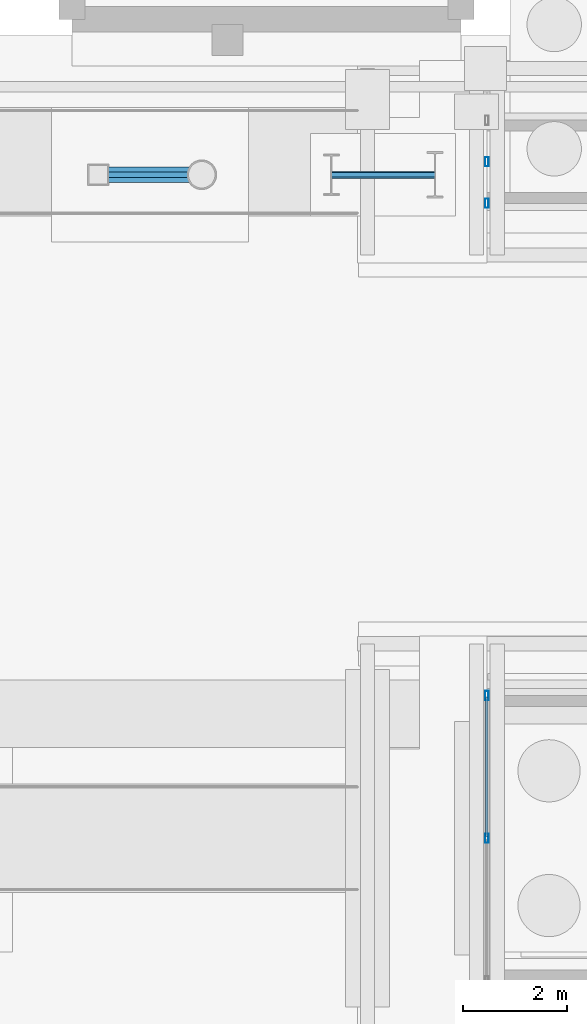
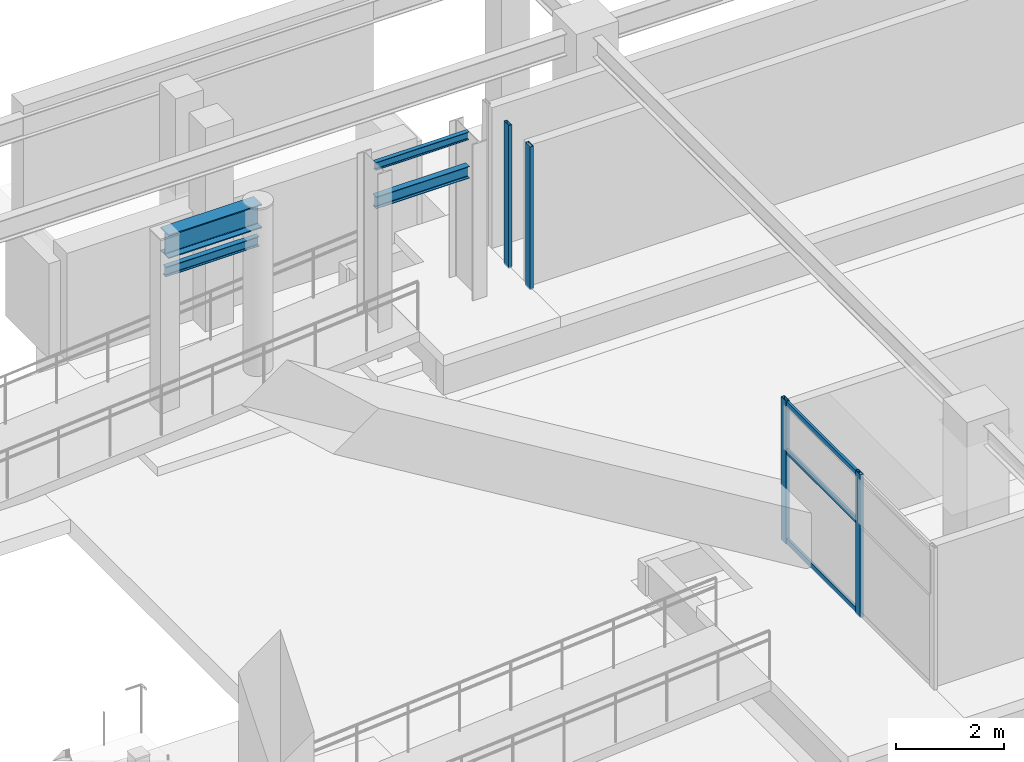
# One storey, part 87 of 160: 9 members, 2 beams, 2 elements without a shape of their own.
"""IFC4 building model written with IfcOpenShell, lengths in metres."""

from ifc_helpers import new_model, si_unit, direction, frame, origin, origin_2d, place, context, subcontext, project, spatial, hollow_rectangle, i_section, extrude, material, layer, layer_set, material_profile, profile_set, type_object, element, aggregate, save


model = new_model("IFC4")

# Units and contexts
model_context = context("Model", 3, precision=1e-05, world=origin(), true_north=direction((0.0, 1.0)))
body_context = subcontext(model_context, "Body", "Model", "MODEL_VIEW")
ifc_project = project(units=[si_unit("LENGTHUNIT", "METRE"), si_unit("AREAUNIT", "SQUARE_METRE"), si_unit("VOLUMEUNIT", "CUBIC_METRE"), si_unit("PLANEANGLEUNIT", "RADIAN"), si_unit("MASSUNIT", "GRAM", prefix="KILO")], contexts=[model_context])

# Site, building, storey
site_placement = place(None, origin())
site = spatial("IfcSite", under=ifc_project, at=site_placement, CompositionType="ELEMENT")
building_placement = place(site_placement, origin())
building = spatial("IfcBuilding", under=site, at=building_placement, Name="Marlcrest Central Station", CompositionType="ELEMENT")
storey_placement = place(building_placement, origin())
storey = spatial("IfcBuildingStorey", under=building, at=storey_placement, Name="L00", CompositionType="ELEMENT", Elevation=0.0)

# Beams
ifc_material_1 = material(Name="Steel S355", Category="steel")
ifc_material_profile_1 = material_profile(ifc_material_1, i_section(OverallWidth=0.300048828125, OverallDepth=0.5400390625, WebThickness=0.012451171875, FlangeThickness=0.02392578125, FilletRadius=0.027099609375, at=origin_2d()), Name="HEA 550")
ifc_profile_set_1 = profile_set([ifc_material_profile_1], Name="Steel S355")
beam_type_1 = type_object("IfcBeamType", Name="BM-13", PredefinedType="BEAM", material=ifc_profile_set_1)
beam_1_placement = place(storey_placement, frame((134.0, 93.800048828125, 4.179931640625), z_axis=(1.0, 0.0, 0.0), x_axis=(0.0, 1.0, 0.0)))
element("IfcBeam", 1, at=beam_1_placement, inside=storey, type_object=beam_type_1, Name="bm-BM-13-L00-01567", PredefinedType="BEAM", context=body_context, shape_type="SweptSolid", body=[
    extrude(i_section(OverallWidth=0.300048828125, OverallDepth=0.5400390625, WebThickness=0.012451171875, FlangeThickness=0.02392578125, FilletRadius=0.027099609375, at=origin_2d()), origin(), (0.0, 0.0, 1.0), 2.0),
])
ifc_material_profile_2 = material_profile(ifc_material_1, i_section(OverallWidth=0.091064453125, OverallDepth=0.179931640625, WebThickness=0.00537109375, FlangeThickness=0.008056640625, FilletRadius=0.009033203125, at=origin_2d()), Name="IPE 180")
ifc_profile_set_2 = profile_set([ifc_material_profile_2], Name="Steel S355")
beam_type_2 = type_object("IfcBeamType", Name="JS-06", PredefinedType="JOIST", material=ifc_profile_set_2)
beam_2_placement = place(storey_placement, frame((138.5, 93.800048828125, 4.360107421875), z_axis=(1.0, 0.0, 0.0), x_axis=(0.0, 1.0, 0.0)))
element("IfcBeam", 2, at=beam_2_placement, inside=storey, type_object=beam_type_2, Name="bm-JS-06-L00-01559", PredefinedType="JOIST", context=body_context, shape_type="SweptSolid", body=[
    extrude(i_section(OverallWidth=0.091064453125, OverallDepth=0.179931640625, WebThickness=0.00537109375, FlangeThickness=0.008056640625, FilletRadius=0.009033203125, at=origin_2d()), origin(), (0.0, 0.0, 1.0), 2.0),
])

# Curtain wall, members
ifc_material_2 = material(Name="Anodised aluminium and hurricane laminated glass", Category="aluminium")
ifc_layer = layer(ifc_material_2, 0.179931640625, Name="CW-S1")
ifc_layer_set = layer_set([ifc_layer], Name="Anodised aluminium and hurricane laminated glass")
curtain_wall_type = type_object("IfcCurtainWallType", Name="CW-S1", PredefinedType="USERDEFINED", material=ifc_layer_set)
curtain_wall_1_placement = place(storey_placement, origin())
curtain_wall_1 = element("IfcCurtainWall", 3, at=curtain_wall_1_placement, inside=storey, type_object=curtain_wall_type, Name="cw-L00-0178", ObjectType="STICK_CURTAIN_WALL", PredefinedType="USERDEFINED")
ifc_material_3 = material(Name="Anodised aluminium 6063-T6", Category="aluminium")
ifc_material_profile_3 = material_profile(ifc_material_3, hollow_rectangle(XDim=0.070068359375, YDim=0.179931640625, WallThickness=0.0048828125, at=origin_2d()), Name="AA-RHS 180x70x5")
ifc_profile_set_3 = profile_set([ifc_material_profile_3], Name="Anodised aluminium 6063-T6")
member_type_1 = type_object("IfcMemberType", Name="ML-02", PredefinedType="MULLION", material=ifc_profile_set_3)
member_1_placement = place(storey_placement, frame((141.5, 81.0, 0.885009765625), z_axis=(0.0, 0.0, 1.0), x_axis=(1.0, 0.0, 0.0)))
member_1 = element("IfcMember", 4, at=member_1_placement, type_object=member_type_1, Name="cw-L00-0178-ml-1", PredefinedType="MULLION", context=body_context, shape_type="SweptSolid", body=[
    extrude(hollow_rectangle(XDim=0.070068359375, YDim=0.179931640625, WallThickness=0.0048828125, at=origin_2d()), origin(), (0.0, 0.0, 1.0), 3.244873046875),
])
member_2_placement = place(storey_placement, frame((141.5, 83.75, 0.885009765625), z_axis=(0.0, 0.0, 1.0), x_axis=(1.0, 0.0, 0.0)))
member_2 = element("IfcMember", 5, at=member_2_placement, type_object=member_type_1, Name="cw-L00-0178-ml-2", PredefinedType="MULLION", context=body_context, shape_type="SweptSolid", body=[
    extrude(hollow_rectangle(XDim=0.070068359375, YDim=0.179931640625, WallThickness=0.0048828125, at=origin_2d()), origin(), (0.0, 0.0, 1.0), 3.244873046875),
])

curtain_wall_2_placement = place(storey_placement, origin())
curtain_wall_2 = element("IfcCurtainWall", 6, at=curtain_wall_2_placement, inside=storey, type_object=curtain_wall_type, Name="cw-L00-0180", ObjectType="STICK_CURTAIN_WALL", PredefinedType="USERDEFINED")
member_3_placement = place(storey_placement, frame((141.5, 93.25, 0.885009765625), z_axis=(0.0, 0.0, 1.0), x_axis=(1.0, 0.0, 0.0)))
member_3 = element("IfcMember", 7, at=member_3_placement, type_object=member_type_1, Name="cw-L00-0180-ml-0", PredefinedType="MULLION", context=body_context, shape_type="SweptSolid", body=[
    extrude(hollow_rectangle(XDim=0.070068359375, YDim=0.179931640625, WallThickness=0.0048828125, at=origin_2d()), origin(), (0.0, 0.0, 1.0), 3.244873046875),
])
member_4_placement = place(storey_placement, frame((141.5, 94.050048828125, 0.885009765625), z_axis=(0.0, 0.0, 1.0), x_axis=(1.0, 0.0, 0.0)))
member_4 = element("IfcMember", 8, at=member_4_placement, type_object=member_type_1, Name="cw-L00-0180-ml-1", PredefinedType="MULLION", context=body_context, shape_type="SweptSolid", body=[
    extrude(hollow_rectangle(XDim=0.070068359375, YDim=0.179931640625, WallThickness=0.0048828125, at=origin_2d()), origin(), (0.0, 0.0, 1.0), 3.244873046875),
])
aggregate(curtain_wall_2, [member_3, member_4])

# Members
ifc_material_profile_4 = material_profile(ifc_material_1, i_section(OverallWidth=0.110107421875, OverallDepth=0.219970703125, WebThickness=0.005859375, FlangeThickness=0.00927734375, FilletRadius=0.011962890625, at=origin_2d()), Name="IPE 220")
ifc_profile_set_4 = profile_set([ifc_material_profile_4], Name="Steel S355")
member_type_2 = type_object("IfcMemberType", Name="PR-06", PredefinedType="PURLIN", material=ifc_profile_set_4)
member_5_placement = place(storey_placement, frame((134.0, 93.800048828125, 3.550048828125), z_axis=(1.0, 0.0, 0.0), x_axis=(0.0, 1.0, 0.0)))
element("IfcMember", 9, at=member_5_placement, inside=storey, type_object=member_type_2, Name="mem-PR-06-L00-02561", PredefinedType="PURLIN", context=body_context, shape_type="SweptSolid", body=[
    extrude(i_section(OverallWidth=0.110107421875, OverallDepth=0.219970703125, WebThickness=0.005859375, FlangeThickness=0.00927734375, FilletRadius=0.011962890625, at=origin_2d()), origin(), (0.0, 0.0, 1.0), 2.0),
])
ifc_material_profile_5 = material_profile(ifc_material_1, i_section(OverallWidth=0.135009765625, OverallDepth=0.27001953125, WebThickness=0.006591796875, FlangeThickness=0.01025390625, FilletRadius=0.014892578125, at=origin_2d()), Name="IPE 270")
ifc_profile_set_5 = profile_set([ifc_material_profile_5], Name="Steel S355")
member_type_3 = type_object("IfcMemberType", Name="PR-07", PredefinedType="PURLIN", material=ifc_profile_set_5)
member_6_placement = place(storey_placement, frame((138.5, 93.800048828125, 3.550048828125), z_axis=(1.0, 0.0, 0.0), x_axis=(0.0, 1.0, 0.0)))
element("IfcMember", 10, at=member_6_placement, inside=storey, type_object=member_type_3, Name="mem-PR-07-L00-02553", PredefinedType="PURLIN", context=body_context, shape_type="SweptSolid", body=[
    extrude(i_section(OverallWidth=0.135009765625, OverallDepth=0.27001953125, WebThickness=0.006591796875, FlangeThickness=0.01025390625, FilletRadius=0.014892578125, at=origin_2d()), origin(), (0.0, 0.0, 1.0), 2.0),
])

# Member
ifc_material_profile_6 = material_profile(ifc_material_3, hollow_rectangle(XDim=0.050048828125, YDim=0.1201171875, WallThickness=0.00390625, at=origin_2d()), Name="AA-RHS 120x50x4")
ifc_profile_set_6 = profile_set([ifc_material_profile_6], Name="Anodised aluminium 6063-T6")
member_type_4 = type_object("IfcMemberType", Name="TR-02", PredefinedType="USERDEFINED", material=ifc_profile_set_6)
member_7_placement = place(storey_placement, frame((141.5, 81.032958984375, 0.955078125), z_axis=(0.0, 1.0, 0.0), x_axis=(-1.0, 0.0, 0.0)))
member_7 = element("IfcMember", 11, at=member_7_placement, type_object=member_type_4, Name="cw-L00-0178-tr-1-sill", ObjectType="TRANSOM", PredefinedType="USERDEFINED", context=body_context, shape_type="SweptSolid", body=[
    extrude(hollow_rectangle(XDim=0.050048828125, YDim=0.1201171875, WallThickness=0.00390625, at=origin_2d()), origin(), (0.0, 0.0, 1.0), 2.68408203125),
])

member_8_placement = place(storey_placement, frame((141.5, 81.032958984375, 2.985107421875), z_axis=(0.0, 1.0, 0.0), x_axis=(-1.0, 0.0, 0.0)))
member_8 = element("IfcMember", 12, at=member_8_placement, type_object=member_type_4, Name="cw-L00-0178-tr-1-mid", ObjectType="TRANSOM", PredefinedType="USERDEFINED", context=body_context, shape_type="SweptSolid", body=[
    extrude(hollow_rectangle(XDim=0.050048828125, YDim=0.1201171875, WallThickness=0.00390625, at=origin_2d()), origin(), (0.0, 0.0, 1.0), 2.68408203125),
])

member_9_placement = place(storey_placement, frame((141.5, 81.032958984375, 4.06005859375), z_axis=(0.0, 1.0, 0.0), x_axis=(-1.0, 0.0, 0.0)))
member_9 = element("IfcMember", 13, at=member_9_placement, type_object=member_type_4, Name="cw-L00-0178-tr-1-head", ObjectType="TRANSOM", PredefinedType="USERDEFINED", context=body_context, shape_type="SweptSolid", body=[
    extrude(hollow_rectangle(XDim=0.050048828125, YDim=0.1201171875, WallThickness=0.00390625, at=origin_2d()), origin(), (0.0, 0.0, 1.0), 2.68408203125),
])

aggregate(curtain_wall_1, [member_1, member_2, member_7, member_8, member_9])

save(model, "model.ifc")
